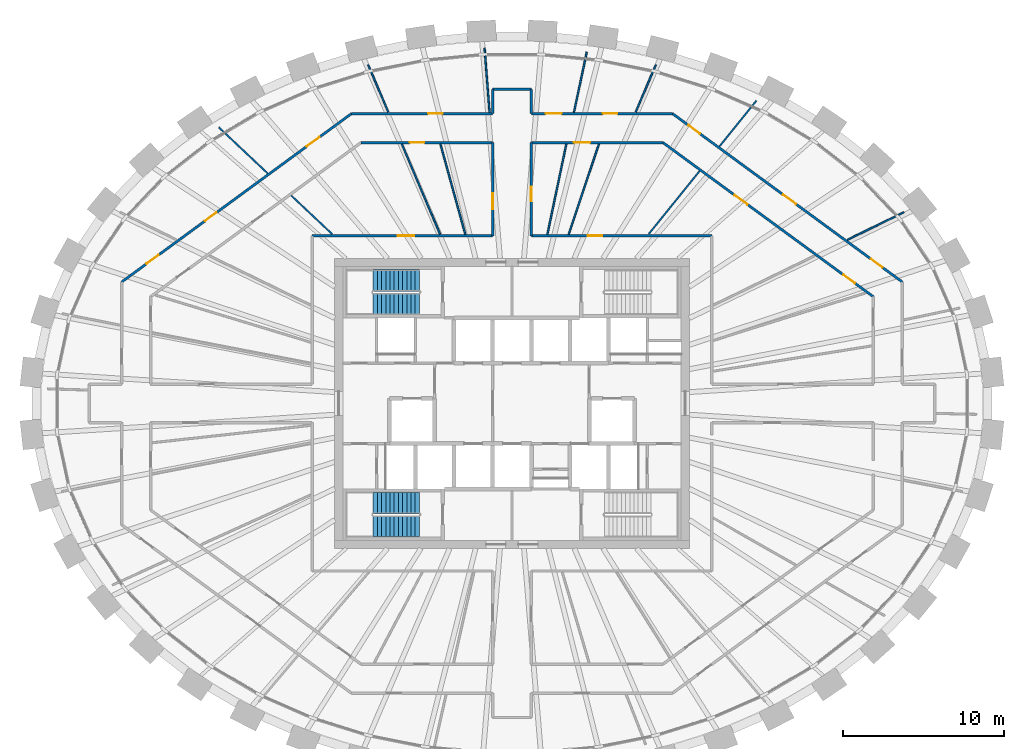
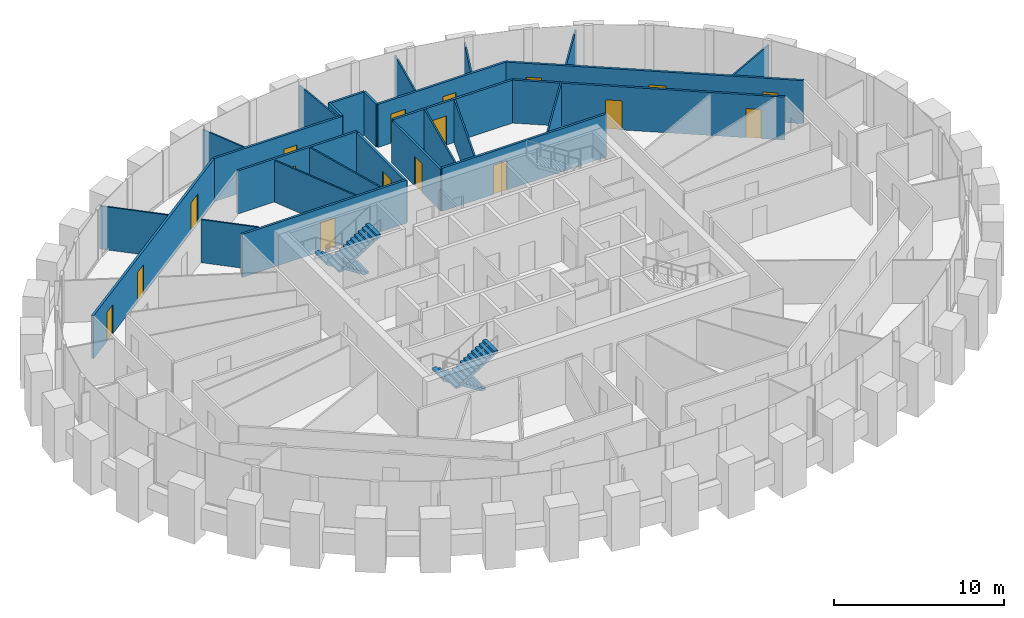
# One storey, part 10 of 12: 27 walls, 17 doors, 4 stair flights, 17 openings, 2 elements without a shape of their own.
"""IFC4 building model written with IfcOpenShell, lengths in metres."""

from ifc_helpers import new_model, si_unit, direction, frame, frame_2d, origin, place, context, subcontext, project, spatial, polyline, rectangle, outline, extrude, source, transform, mapped, material, layer, layer_set, type_object, element, fill, aggregate, save


model = new_model("IFC4")

# Units and contexts
model_context = context("Model", 3, precision=1e-05, world=origin(), true_north=direction((0.0, 1.0)))
body_context = subcontext(model_context, "Body", "Model", "MODEL_VIEW")
ifc_project = project(units=[si_unit("LENGTHUNIT", "METRE"), si_unit("AREAUNIT", "SQUARE_METRE"), si_unit("VOLUMEUNIT", "CUBIC_METRE"), si_unit("PLANEANGLEUNIT", "RADIAN"), si_unit("MASSUNIT", "GRAM", prefix="KILO")], contexts=[model_context])

# Site, building, storey
site_placement = place(None, origin())
site = spatial("IfcSite", under=ifc_project, at=site_placement, CompositionType="ELEMENT")
building_placement = place(site_placement, origin())
building = spatial("IfcBuilding", under=site, at=building_placement, Name="Embergate Tower", CompositionType="ELEMENT")
storey_placement = place(building_placement, frame((0.0, 0.0, 320.800048828125)))
storey = spatial("IfcBuildingStorey", under=building, at=storey_placement, Name="L75", CompositionType="ELEMENT", Elevation=320.800048828125)

# Wall
ifc_material_1 = material(Name="Corridor wall dry-lined 150")
ifc_layer_1 = layer(ifc_material_1, 0.14990234375)
ifc_layer_set_1 = layer_set([ifc_layer_1], Name="Corridor wall dry-lined 150")
wall_type_1 = type_object("IfcWallType", Name="Corridor wall dry-lined 150", PredefinedType="PARTITIONING", material=ifc_layer_set_1)
shared_shape_1 = source(origin(), body_context, "Body", "SweptSolid", [
    extrude(rectangle(XDim=2.39990234375, YDim=0.14990234375, at=frame_2d((1.199951171875, 0.0))), origin(), (0.0, 0.0, 1.0), 3.099853515625),
])
wall_1_placement = place(storey_placement, frame((-1.199951171875, 19.490966796875, 0.0), z_axis=(0.0, 0.0, 1.0), x_axis=(1.0, 0.0, 0.0)))
element("IfcWall", 1, at=wall_1_placement, inside=storey, type_object=wall_type_1, Name="IP-2 wall", PredefinedType="PARTITIONING", context=body_context, shape_type="MappedRepresentation", body=[
    mapped(shared_shape_1, transform((0.0, 0.0, 0.0))),
])

# Wall, opening, door
shared_shape_2 = source(origin(), body_context, "Body", "SweptSolid", [
    extrude(rectangle(XDim=11.199951171875, YDim=0.14990234375, at=frame_2d((5.60009765625, 0.0))), origin(), (0.0, 0.0, 1.0), 3.099853515625),
])
wall_2_placement = place(storey_placement, frame((12.39990234375, 10.39990234375, 0.0), z_axis=(0.0, 0.0, 1.0), x_axis=(-1.0, 0.0, 0.0)))
wall_2 = element("IfcWall", 2, at=wall_2_placement, inside=storey, type_object=wall_type_1, Name="IP-2 wall", PredefinedType="PARTITIONING", context=body_context, shape_type="MappedRepresentation", body=[
    mapped(shared_shape_2, transform((0.0, 0.0, 0.0))),
])
shared_shape_3 = source(origin(), body_context, "Body", "SweptSolid", [
    extrude(rectangle(XDim=0.89990234375, YDim=2.10009765625, at=frame_2d((0.449951171875, 1.050048828125))), frame((0.0, 0.0849609375, 0.0), z_axis=(0.0, -1.0, 0.0), x_axis=(1.0, 0.0, 0.0)), (0.0, 0.0, 1.0), 0.169921875),
])
opening_1_placement = place(wall_2_placement, frame((6.794921875, 0.0, 0.0)))
opening_1 = element("IfcOpeningElement", 3, at=opening_1_placement, cuts=wall_2, Name="Opening IF-1c", PredefinedType="OPENING", context=body_context, shape_type="MappedRepresentation", body=[
    mapped(shared_shape_3, transform((0.0, 0.0, 0.0))),
])
ifc_material_2 = material(Name="Escape fire door 900")
door_type_1 = type_object("IfcDoorType", Name="Escape fire door 900", OperationType="SINGLE_SWING_LEFT", PredefinedType="DOOR", material=ifc_material_2)
shared_shape_4 = source(origin(), body_context, "Body", "SweptSolid", [
    extrude(rectangle(XDim=0.89990234375, YDim=2.10009765625, at=frame_2d((0.449951171875, 1.050048828125))), frame((0.0, 0.02490234375, 0.0), z_axis=(0.0, -1.0, 0.0), x_axis=(1.0, 0.0, 0.0)), (0.0, 0.0, 1.0), 0.050048828125),
])
door_1_placement = place(opening_1_placement, origin())
door_1 = element("IfcDoor", 4, at=door_1_placement, inside=storey, type_object=door_type_1, Name="IF-1 door", OperationType="SINGLE_SWING_LEFT", OverallHeight=2.10009765625, OverallWidth=0.89990234375, PredefinedType="DOOR", context=body_context, shape_type="MappedRepresentation", body=[
    mapped(shared_shape_4, transform((0.0, 0.0, 0.0))),
])
fill(opening_1, door_1)

wall_3_placement = place(storey_placement, frame((-12.39990234375, 10.39990234375, 0.0), z_axis=(0.0, 0.0, 1.0), x_axis=(1.0, 0.0, 0.0)))
wall_3 = element("IfcWall", 5, at=wall_3_placement, inside=storey, type_object=wall_type_1, Name="IP-2 wall", PredefinedType="PARTITIONING", context=body_context, shape_type="MappedRepresentation", body=[
    mapped(shared_shape_2, transform((0.0, 0.0, 0.0))),
])
shared_shape_5 = source(origin(), body_context, "Body", "SweptSolid", [
    extrude(rectangle(XDim=1.0, YDim=2.10009765625, at=frame_2d((0.5, 1.050048828125))), frame((0.0, 0.0849609375, 0.0), z_axis=(0.0, -1.0, 0.0), x_axis=(1.0, 0.0, 0.0)), (0.0, 0.0, 1.0), 0.169921875),
])
opening_2_placement = place(wall_3_placement, frame((5.323974609375, 0.0, 0.0)))
opening_2 = element("IfcOpeningElement", 6, at=opening_2_placement, cuts=wall_3, Name="Opening ID-2", PredefinedType="OPENING", context=body_context, shape_type="MappedRepresentation", body=[
    mapped(shared_shape_5, transform((0.0, 0.0, 0.0))),
])
ifc_material_3 = material(Name="Interior door 1000")
door_type_2 = type_object("IfcDoorType", Name="Interior door 1000", OperationType="SINGLE_SWING_LEFT", PredefinedType="DOOR", material=ifc_material_3)
shared_shape_6 = source(origin(), body_context, "Body", "SweptSolid", [
    extrude(rectangle(XDim=1.0, YDim=2.10009765625, at=frame_2d((0.5, 1.050048828125))), frame((0.0, 0.02490234375, 0.0), z_axis=(0.0, -1.0, 0.0), x_axis=(1.0, 0.0, 0.0)), (0.0, 0.0, 1.0), 0.050048828125),
])
door_2_placement = place(opening_2_placement, origin())
door_2 = element("IfcDoor", 7, at=door_2_placement, inside=storey, type_object=door_type_2, Name="ID-2 door", OperationType="SINGLE_SWING_RIGHT", OverallHeight=2.10009765625, OverallWidth=1.0, PredefinedType="DOOR", context=body_context, shape_type="MappedRepresentation", body=[
    mapped(shared_shape_6, transform((0.0, 0.0, 0.0))),
])
fill(opening_2, door_2)

shared_shape_7 = source(origin(), body_context, "Body", "SweptSolid", [
    extrude(rectangle(XDim=5.783203125, YDim=0.14990234375, at=frame_2d((2.8916015625, 0.0))), origin(), (0.0, 0.0, 1.0), 3.0),
])
wall_4_placement = place(storey_placement, frame((-1.199951171875, 10.39990234375, 0.0), z_axis=(0.0, 0.0, 1.0), x_axis=(0.0, 1.0, 0.0)))
wall_4 = element("IfcWall", 8, at=wall_4_placement, inside=storey, type_object=wall_type_1, Name="IP-2 wall", PredefinedType="PARTITIONING", context=body_context, shape_type="MappedRepresentation", body=[
    mapped(shared_shape_7, transform((0.0, 0.0, 0.0))),
])
opening_3_placement = place(wall_4_placement, frame((1.638916015625, 0.0, 0.0)))
opening_3 = element("IfcOpeningElement", 9, at=opening_3_placement, cuts=wall_4, Name="Opening ID-2", PredefinedType="OPENING", context=body_context, shape_type="MappedRepresentation", body=[
    mapped(shared_shape_5, transform((0.0, 0.0, 0.0))),
])
door_3_placement = place(opening_3_placement, origin())
door_3 = element("IfcDoor", 10, at=door_3_placement, inside=storey, type_object=door_type_2, Name="ID-2 door", OperationType="SINGLE_SWING_LEFT", OverallHeight=2.10009765625, OverallWidth=1.0, PredefinedType="DOOR", context=body_context, shape_type="MappedRepresentation", body=[
    mapped(shared_shape_6, transform((0.0, 0.0, 0.0))),
])
fill(opening_3, door_3)

wall_5_placement = place(storey_placement, frame((1.199951171875, 16.18310546875, 0.0), z_axis=(0.0, 0.0, 1.0), x_axis=(0.0, -1.0, 0.0)))
wall_5 = element("IfcWall", 11, at=wall_5_placement, inside=storey, type_object=wall_type_1, Name="IP-2 wall", PredefinedType="PARTITIONING", context=body_context, shape_type="MappedRepresentation", body=[
    mapped(shared_shape_7, transform((0.0, 0.0, 0.0))),
])
opening_4_placement = place(wall_5_placement, frame((2.741455078125, 0.0, 0.0)))
opening_4 = element("IfcOpeningElement", 12, at=opening_4_placement, cuts=wall_5, Name="Opening IF-1c", PredefinedType="OPENING", context=body_context, shape_type="MappedRepresentation", body=[
    mapped(shared_shape_3, transform((0.0, 0.0, 0.0))),
])
door_4_placement = place(opening_4_placement, origin())
door_4 = element("IfcDoor", 13, at=door_4_placement, inside=storey, type_object=door_type_1, Name="IF-1 door", OperationType="SINGLE_SWING_RIGHT", OverallHeight=2.10009765625, OverallWidth=0.89990234375, PredefinedType="DOOR", context=body_context, shape_type="MappedRepresentation", body=[
    mapped(shared_shape_4, transform((0.0, 0.0, 0.0))),
])
fill(opening_4, door_4)

# Walls
ifc_material_4 = material(Name="Partition dry-lined 100")
ifc_layer_2 = layer(ifc_material_4, 0.10009765625)
ifc_layer_set_2 = layer_set([ifc_layer_2], Name="Partition dry-lined 100")
wall_type_2 = type_object("IfcWallType", Name="Partition dry-lined 100", PredefinedType="PARTITIONING", material=ifc_layer_set_2)
shared_shape_8 = source(origin(), body_context, "Body", "SweptSolid", [
    extrude(rectangle(XDim=3.177978515625, YDim=0.10009765625, at=frame_2d((1.5888671875, 0.0))), origin(), (0.0, 0.0, 1.0), 3.0),
])
for number, where, z_axis, x_axis, name in (
    (14, (7.679931640625, 18.077880859375, 0.0), (0.0, 0.0, 1.0), (0.390885220026, 0.920439430253, 0.0), "IP-1 wall"),
    (15, (-8.922119140625, 21.0029296875, 0.0), (0.0, 0.0, 1.0), (0.390885220026, -0.920439430253, 0.0), "IP-1 wall"),
):
    element("IfcWall", number, at=place(storey_placement, frame(where, z_axis=z_axis, x_axis=x_axis)), inside=storey, type_object=wall_type_2, Name=name, PredefinedType="PARTITIONING", context=body_context, shape_type="MappedRepresentation", body=[
        mapped(shared_shape_8, transform((0.0, 0.0, 0.0))),
    ])
shared_shape_9 = source(origin(), body_context, "Body", "SweptSolid", [
    extrude(rectangle(XDim=4.00390625, YDim=0.10009765625, at=frame_2d((2.001953125, 0.0))), origin(), (0.0, 0.0, 1.0), 3.0),
])
wall_6_placement = place(storey_placement, frame((-1.39404296875, 18.05810546875, 0.0), z_axis=(0.0, 0.0, 1.0), x_axis=(-0.076892342061, 0.997039401294, 0.0)))
element("IfcWall", 16, at=wall_6_placement, inside=storey, type_object=wall_type_2, Name="IP-1 wall", PredefinedType="PARTITIONING", context=body_context, shape_type="MappedRepresentation", body=[
    mapped(shared_shape_9, transform((0.0, 0.0, 0.0))),
])
shared_shape_10 = source(origin(), body_context, "Body", "SweptSolid", [
    extrude(rectangle(XDim=6.078125, YDim=0.10009765625, at=frame_2d((3.0390625, 0.0))), origin(), (0.0, 0.0, 1.0), 3.0),
])
wall_7_placement = place(storey_placement, frame((-6.8349609375, 16.089111328125, 0.0), z_axis=(0.0, 0.0, 1.0), x_axis=(0.391071744055, -0.920360196337, 0.0)))
element("IfcWall", 17, at=wall_7_placement, inside=storey, type_object=wall_type_2, Name="IP-1 wall", PredefinedType="PARTITIONING", context=body_context, shape_type="MappedRepresentation", body=[
    mapped(shared_shape_10, transform((0.0, 0.0, 0.0))),
])

# Wall, openings, doors
shared_shape_11 = source(origin(), body_context, "Body", "SweptSolid", [
    extrude(rectangle(XDim=17.682373046875, YDim=0.14990234375, at=frame_2d((8.84130859375, 0.0))), origin(), (0.0, 0.0, 1.0), 3.099853515625),
])
wall_8_placement = place(storey_placement, frame((9.952880859375, 17.98291015625, 0.0), z_axis=(0.0, 0.0, 1.0), x_axis=(0.806686271558, -0.590979914447, 0.0)))
wall_8 = element("IfcWall", 18, at=wall_8_placement, inside=storey, type_object=wall_type_1, Name="IP-2 wall", PredefinedType="PARTITIONING", context=body_context, shape_type="MappedRepresentation", body=[
    mapped(shared_shape_11, transform((0.0, 0.0, 0.0))),
])
opening_5_placement = place(wall_8_placement, frame((15.259521484375, 0.0, 0.0)))
opening_5 = element("IfcOpeningElement", 19, at=opening_5_placement, cuts=wall_8, Name="Opening IF-1c", PredefinedType="OPENING", context=body_context, shape_type="MappedRepresentation", body=[
    mapped(shared_shape_3, transform((0.0, 0.0, 0.0))),
])
opening_6_placement = place(wall_8_placement, frame((8.519287109375, 0.0, 0.0)))
opening_6 = element("IfcOpeningElement", 20, at=opening_6_placement, cuts=wall_8, Name="Opening ID-2", PredefinedType="OPENING", context=body_context, shape_type="MappedRepresentation", body=[
    mapped(shared_shape_5, transform((0.0, 0.0, 0.0))),
])
opening_7_placement = place(wall_8_placement, frame((1.2255859375, 0.0, 0.0)))
opening_7 = element("IfcOpeningElement", 21, at=opening_7_placement, cuts=wall_8, Name="Opening IF-1c", PredefinedType="OPENING", context=body_context, shape_type="MappedRepresentation", body=[
    mapped(shared_shape_3, transform((0.0, 0.0, 0.0))),
])
door_5_placement = place(opening_5_placement, origin())
door_5 = element("IfcDoor", 22, at=door_5_placement, inside=storey, type_object=door_type_1, Name="IF-1 door", OperationType="SINGLE_SWING_LEFT", OverallHeight=2.10009765625, OverallWidth=0.89990234375, PredefinedType="DOOR", context=body_context, shape_type="MappedRepresentation", body=[
    mapped(shared_shape_4, transform((0.0, 0.0, 0.0))),
])
fill(opening_5, door_5)
door_6_placement = place(opening_7_placement, origin())
door_6 = element("IfcDoor", 23, at=door_6_placement, inside=storey, type_object=door_type_1, Name="IF-1 door", OperationType="SINGLE_SWING_LEFT", OverallHeight=2.10009765625, OverallWidth=0.89990234375, PredefinedType="DOOR", context=body_context, shape_type="MappedRepresentation", body=[
    mapped(shared_shape_4, transform((0.0, 0.0, 0.0))),
])
fill(opening_7, door_6)
door_7_placement = place(opening_6_placement, origin())
door_7 = element("IfcDoor", 24, at=door_7_placement, inside=storey, type_object=door_type_2, Name="ID-2 door", OperationType="SINGLE_SWING_LEFT", OverallHeight=2.10009765625, OverallWidth=1.0, PredefinedType="DOOR", context=body_context, shape_type="MappedRepresentation", body=[
    mapped(shared_shape_6, transform((0.0, 0.0, 0.0))),
])
fill(opening_6, door_7)

wall_9_placement = place(storey_placement, frame((-9.952880859375, 17.98291015625, 0.0), z_axis=(0.0, 0.0, 1.0), x_axis=(-0.806686271558, -0.590979914447, 0.0)))
wall_9 = element("IfcWall", 25, at=wall_9_placement, inside=storey, type_object=wall_type_1, Name="IP-2 wall", PredefinedType="PARTITIONING", context=body_context, shape_type="MappedRepresentation", body=[
    mapped(shared_shape_11, transform((0.0, 0.0, 0.0))),
])
opening_8_placement = place(wall_9_placement, frame((2.451904296875, 0.0, 0.0)))
opening_8 = element("IfcOpeningElement", 26, at=opening_8_placement, cuts=wall_9, Name="Opening ID-2", PredefinedType="OPENING", context=body_context, shape_type="MappedRepresentation", body=[
    mapped(shared_shape_5, transform((0.0, 0.0, 0.0))),
])
opening_9_placement = place(wall_9_placement, frame((10.39013671875, 0.0, 0.0)))
opening_9 = element("IfcOpeningElement", 27, at=opening_9_placement, cuts=wall_9, Name="Opening IF-1c", PredefinedType="OPENING", context=body_context, shape_type="MappedRepresentation", body=[
    mapped(shared_shape_3, transform((0.0, 0.0, 0.0))),
])
opening_10_placement = place(wall_9_placement, frame((14.861083984375, 0.0, 0.0)))
opening_10 = element("IfcOpeningElement", 28, at=opening_10_placement, cuts=wall_9, Name="Opening IF-1c", PredefinedType="OPENING", context=body_context, shape_type="MappedRepresentation", body=[
    mapped(shared_shape_3, transform((0.0, 0.0, 0.0))),
])
door_8_placement = place(opening_9_placement, origin())
door_8 = element("IfcDoor", 29, at=door_8_placement, inside=storey, type_object=door_type_1, Name="IF-1 door", OperationType="SINGLE_SWING_RIGHT", OverallHeight=2.10009765625, OverallWidth=0.89990234375, PredefinedType="DOOR", context=body_context, shape_type="MappedRepresentation", body=[
    mapped(shared_shape_4, transform((0.0, 0.0, 0.0))),
])
fill(opening_9, door_8)
door_9_placement = place(opening_10_placement, origin())
door_9 = element("IfcDoor", 30, at=door_9_placement, inside=storey, type_object=door_type_1, Name="IF-1 door", OperationType="SINGLE_SWING_LEFT", OverallHeight=2.10009765625, OverallWidth=0.89990234375, PredefinedType="DOOR", context=body_context, shape_type="MappedRepresentation", body=[
    mapped(shared_shape_4, transform((0.0, 0.0, 0.0))),
])
fill(opening_10, door_9)
door_10_placement = place(opening_8_placement, origin())
door_10 = element("IfcDoor", 31, at=door_10_placement, inside=storey, type_object=door_type_2, Name="ID-2 door", OperationType="SINGLE_SWING_RIGHT", OverallHeight=2.10009765625, OverallWidth=1.0, PredefinedType="DOOR", context=body_context, shape_type="MappedRepresentation", body=[
    mapped(shared_shape_6, transform((0.0, 0.0, 0.0))),
])
fill(opening_8, door_10)

shared_shape_12 = source(origin(), body_context, "Body", "SweptSolid", [
    extrude(rectangle(XDim=16.18115234375, YDim=0.14990234375, at=frame_2d((8.090576171875, 0.0))), origin(), (0.0, 0.0, 1.0), 3.099853515625),
])
wall_10_placement = place(storey_placement, frame((9.364013671875, 16.18310546875, 0.0), z_axis=(0.0, 0.0, 1.0), x_axis=(0.80667592694, -0.590994034569, 0.0)))
wall_10 = element("IfcWall", 32, at=wall_10_placement, inside=storey, type_object=wall_type_1, Name="IP-2 wall", PredefinedType="PARTITIONING", context=body_context, shape_type="MappedRepresentation", body=[
    mapped(shared_shape_12, transform((0.0, 0.0, 0.0))),
])
opening_11_placement = place(wall_10_placement, frame((13.872314453125, 0.0, 0.0)))
opening_11 = element("IfcOpeningElement", 33, at=opening_11_placement, cuts=wall_10, Name="Opening IF-1c", PredefinedType="OPENING", context=body_context, shape_type="MappedRepresentation", body=[
    mapped(shared_shape_3, transform((0.0, 0.0, 0.0))),
])
opening_12_placement = place(wall_10_placement, frame((5.524169921875, 0.0, 0.0)))
opening_12 = element("IfcOpeningElement", 34, at=opening_12_placement, cuts=wall_10, Name="Opening ID-2", PredefinedType="OPENING", context=body_context, shape_type="MappedRepresentation", body=[
    mapped(shared_shape_5, transform((0.0, 0.0, 0.0))),
])
door_11_placement = place(opening_11_placement, origin())
door_11 = element("IfcDoor", 35, at=door_11_placement, inside=storey, type_object=door_type_1, Name="IF-1 door", OperationType="SINGLE_SWING_RIGHT", OverallHeight=2.10009765625, OverallWidth=0.89990234375, PredefinedType="DOOR", context=body_context, shape_type="MappedRepresentation", body=[
    mapped(shared_shape_4, transform((0.0, 0.0, 0.0))),
])
fill(opening_11, door_11)
door_12_placement = place(opening_12_placement, origin())
door_12 = element("IfcDoor", 36, at=door_12_placement, inside=storey, type_object=door_type_2, Name="ID-2 door", OperationType="SINGLE_SWING_LEFT", OverallHeight=2.10009765625, OverallWidth=1.0, PredefinedType="DOOR", context=body_context, shape_type="MappedRepresentation", body=[
    mapped(shared_shape_6, transform((0.0, 0.0, 0.0))),
])
fill(opening_12, door_12)

shared_shape_13 = source(origin(), body_context, "Body", "SweptSolid", [
    extrude(rectangle(XDim=8.7529296875, YDim=0.14990234375, at=frame_2d((4.37646484375, 0.0))), origin(), (0.0, 0.0, 1.0), 3.099853515625),
])
wall_11_placement = place(storey_placement, frame((1.199951171875, 17.98291015625, 0.0), z_axis=(0.0, 0.0, 1.0), x_axis=(1.0, 0.0, 0.0)))
wall_11 = element("IfcWall", 37, at=wall_11_placement, inside=storey, type_object=wall_type_1, Name="IP-2 wall", PredefinedType="PARTITIONING", context=body_context, shape_type="MappedRepresentation", body=[
    mapped(shared_shape_13, transform((0.0, 0.0, 0.0))),
])
opening_13_placement = place(wall_11_placement, frame((4.430908203125, 0.0, 0.0)))
opening_13 = element("IfcOpeningElement", 38, at=opening_13_placement, cuts=wall_11, Name="Opening IF-1c", PredefinedType="OPENING", context=body_context, shape_type="MappedRepresentation", body=[
    mapped(shared_shape_3, transform((0.0, 0.0, 0.0))),
])
opening_14_placement = place(wall_11_placement, frame((0.885986328125, 0.0, 0.0)))
opening_14 = element("IfcOpeningElement", 39, at=opening_14_placement, cuts=wall_11, Name="Opening ID-2", PredefinedType="OPENING", context=body_context, shape_type="MappedRepresentation", body=[
    mapped(shared_shape_5, transform((0.0, 0.0, 0.0))),
])
door_13_placement = place(opening_13_placement, origin())
door_13 = element("IfcDoor", 40, at=door_13_placement, inside=storey, type_object=door_type_1, Name="IF-1 door", OperationType="SINGLE_SWING_RIGHT", OverallHeight=2.10009765625, OverallWidth=0.89990234375, PredefinedType="DOOR", context=body_context, shape_type="MappedRepresentation", body=[
    mapped(shared_shape_4, transform((0.0, 0.0, 0.0))),
])
fill(opening_13, door_13)
door_14_placement = place(opening_14_placement, origin())
door_14 = element("IfcDoor", 41, at=door_14_placement, inside=storey, type_object=door_type_2, Name="ID-2 door", OperationType="SINGLE_SWING_RIGHT", OverallHeight=2.10009765625, OverallWidth=1.0, PredefinedType="DOOR", context=body_context, shape_type="MappedRepresentation", body=[
    mapped(shared_shape_6, transform((0.0, 0.0, 0.0))),
])
fill(opening_14, door_14)

# Wall, opening, door
wall_12_placement = place(storey_placement, frame((-9.952880859375, 17.98291015625, 0.0), z_axis=(0.0, 0.0, 1.0), x_axis=(1.0, 0.0, 0.0)))
wall_12 = element("IfcWall", 42, at=wall_12_placement, inside=storey, type_object=wall_type_1, Name="IP-2 wall", PredefinedType="PARTITIONING", context=body_context, shape_type="MappedRepresentation", body=[
    mapped(shared_shape_13, transform((0.0, 0.0, 0.0))),
])
opening_15_placement = place(wall_12_placement, frame((4.751708984375, 0.0, 0.0)))
opening_15 = element("IfcOpeningElement", 43, at=opening_15_placement, cuts=wall_12, Name="Opening IF-1c", PredefinedType="OPENING", context=body_context, shape_type="MappedRepresentation", body=[
    mapped(shared_shape_3, transform((0.0, 0.0, 0.0))),
])
door_15_placement = place(opening_15_placement, origin())
door_15 = element("IfcDoor", 44, at=door_15_placement, inside=storey, type_object=door_type_1, Name="IF-1 door", OperationType="SINGLE_SWING_LEFT", OverallHeight=2.10009765625, OverallWidth=0.89990234375, PredefinedType="DOOR", context=body_context, shape_type="MappedRepresentation", body=[
    mapped(shared_shape_4, transform((0.0, 0.0, 0.0))),
])
fill(opening_15, door_15)

# Walls
shared_shape_14 = source(origin(), body_context, "Body", "SweptSolid", [
    extrude(rectangle(XDim=1.508056640625, YDim=0.14990234375, at=frame_2d((0.75390625, 0.0))), origin(), (0.0, 0.0, 1.0), 3.099853515625),
])
for number, where, z_axis, x_axis, name in (
    (45, (-1.199951171875, 17.98291015625, 0.0), (0.0, 0.0, 1.0), (0.0, 1.0, 0.0), "IP-2 wall"),
    (46, (1.199951171875, 19.490966796875, 0.0), (0.0, 0.0, 1.0), (0.0, -1.0, 0.0), "IP-2 wall"),
):
    element("IfcWall", number, at=place(storey_placement, frame(where, z_axis=z_axis, x_axis=x_axis)), inside=storey, type_object=wall_type_1, Name=name, PredefinedType="PARTITIONING", context=body_context, shape_type="MappedRepresentation", body=[
        mapped(shared_shape_14, transform((0.0, 0.0, 0.0))),
    ])

# Wall, opening, door
shared_shape_15 = source(origin(), body_context, "Body", "SweptSolid", [
    extrude(rectangle(XDim=8.1640625, YDim=0.14990234375, at=frame_2d((4.08203125, 0.0))), origin(), (0.0, 0.0, 1.0), 3.099853515625),
])
wall_13_placement = place(storey_placement, frame((1.199951171875, 16.18310546875, 0.0), z_axis=(0.0, 0.0, 1.0), x_axis=(1.0, 0.0, 0.0)))
wall_13 = element("IfcWall", 47, at=wall_13_placement, inside=storey, type_object=wall_type_1, Name="IP-2 wall", PredefinedType="PARTITIONING", context=body_context, shape_type="MappedRepresentation", body=[
    mapped(shared_shape_15, transform((0.0, 0.0, 0.0))),
])
opening_16_placement = place(wall_13_placement, frame((2.64208984375, 0.0, 0.0)))
opening_16 = element("IfcOpeningElement", 48, at=opening_16_placement, cuts=wall_13, Name="Opening ID-2", PredefinedType="OPENING", context=body_context, shape_type="MappedRepresentation", body=[
    mapped(shared_shape_5, transform((0.0, 0.0, 0.0))),
])
door_16_placement = place(opening_16_placement, origin())
door_16 = element("IfcDoor", 49, at=door_16_placement, inside=storey, type_object=door_type_2, Name="ID-2 door", OperationType="SINGLE_SWING_LEFT", OverallHeight=2.10009765625, OverallWidth=1.0, PredefinedType="DOOR", context=body_context, shape_type="MappedRepresentation", body=[
    mapped(shared_shape_6, transform((0.0, 0.0, 0.0))),
])
fill(opening_16, door_16)

wall_14_placement = place(storey_placement, frame((-1.199951171875, 16.18310546875, 0.0), z_axis=(0.0, 0.0, 1.0), x_axis=(-1.0, 0.0, 0.0)))
wall_14 = element("IfcWall", 50, at=wall_14_placement, inside=storey, type_object=wall_type_1, Name="IP-2 wall", PredefinedType="PARTITIONING", context=body_context, shape_type="MappedRepresentation", body=[
    mapped(shared_shape_15, transform((0.0, 0.0, 0.0))),
])
opening_17_placement = place(wall_14_placement, frame((4.22998046875, 0.0, 0.0)))
opening_17 = element("IfcOpeningElement", 51, at=opening_17_placement, cuts=wall_14, Name="Opening IF-1c", PredefinedType="OPENING", context=body_context, shape_type="MappedRepresentation", body=[
    mapped(shared_shape_3, transform((0.0, 0.0, 0.0))),
])
door_17_placement = place(opening_17_placement, origin())
door_17 = element("IfcDoor", 52, at=door_17_placement, inside=storey, type_object=door_type_1, Name="IF-1 door", OperationType="SINGLE_SWING_LEFT", OverallHeight=2.10009765625, OverallWidth=0.89990234375, PredefinedType="DOOR", context=body_context, shape_type="MappedRepresentation", body=[
    mapped(shared_shape_4, transform((0.0, 0.0, 0.0))),
])
fill(opening_17, door_17)

# Walls
shared_shape_16 = source(origin(), body_context, "Body", "SweptSolid", [
    extrude(rectangle(XDim=3.90185546875, YDim=0.10009765625, at=frame_2d((1.950927734375, 0.0))), origin(), (0.0, 0.0, 1.0), 3.0),
])
wall_15_placement = place(storey_placement, frame((20.81103515625, 10.14990234375, 0.0), z_axis=(0.0, 0.0, 1.0), x_axis=(0.898825566315, 0.438306515283, 0.0)))
element("IfcWall", 53, at=wall_15_placement, inside=storey, type_object=wall_type_2, Name="IP-1 wall", PredefinedType="PARTITIONING", context=body_context, shape_type="MappedRepresentation", body=[
    mapped(shared_shape_16, transform((0.0, 0.0, 0.0))),
])
shared_shape_17 = source(origin(), body_context, "Body", "SweptSolid", [
    extrude(rectangle(XDim=3.65380859375, YDim=0.10009765625, at=frame_2d((1.826904296875, 0.0))), origin(), (0.0, 0.0, 1.0), 3.099853515625),
])
wall_16_placement = place(storey_placement, frame((12.868896484375, 15.93994140625, 0.0), z_axis=(0.0, 0.0, 1.0), x_axis=(0.62815201001, 0.778090645311, 0.0)))
element("IfcWall", 54, at=wall_16_placement, inside=storey, type_object=wall_type_2, Name="IP-1 wall", PredefinedType="PARTITIONING", context=body_context, shape_type="MappedRepresentation", body=[
    mapped(shared_shape_17, transform((0.0, 0.0, 0.0))),
])
shared_shape_18 = source(origin(), body_context, "Body", "SweptSolid", [
    extrude(rectangle(XDim=5.03173828125, YDim=0.10009765625, at=frame_2d((2.515869140625, 0.0))), origin(), (0.0, 0.0, 1.0), 3.099853515625),
])
wall_17_placement = place(storey_placement, frame((8.48193359375, 10.506103515625, 0.0), z_axis=(0.0, 0.0, 1.0), x_axis=(0.628238845523, 0.77802053506, 0.0)))
element("IfcWall", 55, at=wall_17_placement, inside=storey, type_object=wall_type_2, Name="IP-1 wall", PredefinedType="PARTITIONING", context=body_context, shape_type="MappedRepresentation", body=[
    mapped(shared_shape_18, transform((0.0, 0.0, 0.0))),
])
shared_shape_19 = source(origin(), body_context, "Body", "SweptSolid", [
    extrude(rectangle(XDim=5.908447265625, YDim=0.10009765625, at=frame_2d((2.9541015625, 0.0))), origin(), (0.0, 0.0, 1.0), 3.099853515625),
])
wall_18_placement = place(storey_placement, frame((3.51611328125, 10.490966796875, 0.0), z_axis=(0.0, 0.0, 1.0), x_axis=(0.317838817041, 0.948144760246, 0.0)))
element("IfcWall", 56, at=wall_18_placement, inside=storey, type_object=wall_type_2, Name="IP-1 wall", PredefinedType="PARTITIONING", context=body_context, shape_type="MappedRepresentation", body=[
    mapped(shared_shape_19, transform((0.0, 0.0, 0.0))),
])
shared_shape_20 = source(origin(), body_context, "Body", "SweptSolid", [
    extrude(rectangle(XDim=3.8134765625, YDim=0.10009765625, at=frame_2d((1.90673828125, 0.0))), origin(), (0.0, 0.0, 1.0), 3.099853515625),
])
wall_19_placement = place(storey_placement, frame((3.845947265625, 18.069091796875, 0.0), z_axis=(0.0, 0.0, 1.0), x_axis=(0.208191043584, 0.978088180775, 0.0)))
element("IfcWall", 57, at=wall_19_placement, inside=storey, type_object=wall_type_2, Name="IP-1 wall", PredefinedType="PARTITIONING", context=body_context, shape_type="MappedRepresentation", body=[
    mapped(shared_shape_20, transform((0.0, 0.0, 0.0))),
])
shared_shape_21 = source(origin(), body_context, "Body", "SweptSolid", [
    extrude(rectangle(XDim=5.81640625, YDim=0.10009765625, at=frame_2d((2.908203125, 0.0))), origin(), (0.0, 0.0, 1.0), 3.099853515625),
])
wall_20_placement = place(storey_placement, frame((-2.89501953125, 10.488037109375, 0.0), z_axis=(0.0, 0.0, 1.0), x_axis=(-0.265950518694, 0.963986681239, 0.0)))
element("IfcWall", 58, at=wall_20_placement, inside=storey, type_object=wall_type_2, Name="IP-1 wall", PredefinedType="PARTITIONING", context=body_context, shape_type="MappedRepresentation", body=[
    mapped(shared_shape_21, transform((0.0, 0.0, 0.0))),
])
shared_shape_22 = source(origin(), body_context, "Body", "SweptSolid", [
    extrude(rectangle(XDim=5.734375, YDim=0.10009765625, at=frame_2d((2.8671875, 0.0))), origin(), (0.0, 0.0, 1.0), 3.099853515625),
])
wall_21_placement = place(storey_placement, frame((2.196044921875, 10.485107421875, 0.0), z_axis=(0.0, 0.0, 1.0), x_axis=(0.204909632567, 0.978780896055, 0.0)))
element("IfcWall", 59, at=wall_21_placement, inside=storey, type_object=wall_type_2, Name="IP-1 wall", PredefinedType="PARTITIONING", context=body_context, shape_type="MappedRepresentation", body=[
    mapped(shared_shape_22, transform((0.0, 0.0, 0.0))),
])
shared_shape_23 = source(origin(), body_context, "Body", "SweptSolid", [
    extrude(rectangle(XDim=4.171142578125, YDim=0.10009765625, at=frame_2d((2.08544921875, 0.0))), origin(), (0.0, 0.0, 1.0), 3.099853515625),
])
wall_22_placement = place(storey_placement, frame((-15.159912109375, 14.27197265625, 0.0), z_axis=(0.0, 0.0, 1.0), x_axis=(-0.728119226308, 0.685450503159, 0.0)))
element("IfcWall", 60, at=wall_22_placement, inside=storey, type_object=wall_type_2, Name="IP-1 wall", PredefinedType="PARTITIONING", context=body_context, shape_type="MappedRepresentation", body=[
    mapped(shared_shape_23, transform((0.0, 0.0, 0.0))),
])
shared_shape_24 = source(origin(), body_context, "Body", "SweptSolid", [
    extrude(rectangle(XDim=3.4853515625, YDim=0.10009765625, at=frame_2d((1.74267578125, 0.0))), origin(), (0.0, 0.0, 1.0), 3.099853515625),
])
wall_23_placement = place(storey_placement, frame((-11.1650390625, 10.510986328125, 0.0), z_axis=(0.0, 0.0, 1.0), x_axis=(-0.728148579295, 0.685419321635, 0.0)))
element("IfcWall", 61, at=wall_23_placement, inside=storey, type_object=wall_type_2, Name="IP-1 wall", PredefinedType="PARTITIONING", context=body_context, shape_type="MappedRepresentation", body=[
    mapped(shared_shape_24, transform((0.0, 0.0, 0.0))),
])

# Stair, stair flights
ifc_material_5 = material(Name="Exit stair")
stair_type = type_object("IfcStairType", Name="Exit stair", PredefinedType="HALF_TURN_STAIR", material=ifc_material_5)
stair_1_placement = place(storey_placement, origin())
stair_1 = element("IfcStair", 62, at=stair_1_placement, inside=storey, type_object=stair_type, Name="L75 Exit stair 1", PredefinedType="HALF_TURN_STAIR")
ifc_material_6 = material(Name="Concrete C40", Category="concrete")
stair_flight_type = type_object("IfcStairFlightType", Name="Stair flight reinforced concrete", PredefinedType="STRAIGHT", material=ifc_material_6)
shared_shape_25 = source(origin(), body_context, "Body", "SweptSolid", [
    extrude(outline(polyline([(0.0, 0.0), (0.0, 0.16259765625), (0.260009765625, 0.16259765625), (0.260009765625, 0.324951171875), (0.52001953125, 0.324951171875), (0.52001953125, 0.487548828125), (0.780029296875, 0.487548828125), (0.780029296875, 0.64990234375), (1.0400390625, 0.64990234375), (1.0400390625, 0.8125), (1.300048828125, 0.8125), (1.300048828125, 0.97509765625), (1.56005859375, 0.97509765625), (1.56005859375, 1.137451171875), (1.820068359375, 1.137451171875), (1.820068359375, 1.300048828125), (2.080078125, 1.300048828125), (2.080078125, 1.46240234375), (2.340087890625, 1.46240234375), (2.340087890625, 1.625), (2.60009765625, 1.625), (2.60009765625, 1.78759765625), (2.860107421875, 1.78759765625), (2.860107421875, 1.949951171875), (2.860107421875, 1.61083984375), (0.28271484375, 0.0), (0.0, 0.0)])), frame((0.0, 0.675048828125, 0.0), z_axis=(0.0, -1.0, 0.0), x_axis=(1.0, 0.0, 0.0)), (0.0, 0.0, 1.0), 1.35009765625),
])
stair_flight_1_placement = place(storey_placement, frame((-5.75, 7.625, 0.0), z_axis=(0.0, 0.0, 1.0), x_axis=(-1.0, 0.0, 0.0)))
stair_flight_1 = element("IfcStairFlight", 63, at=stair_flight_1_placement, type_object=stair_flight_type, Name="ST1 flight 1", NumberOfRisers=12, NumberOfTreads=11, PredefinedType="STRAIGHT", RiserHeight=0.1625, TreadLength=0.26, context=body_context, shape_type="MappedRepresentation", body=[
    mapped(shared_shape_25, transform((0.0, 0.0, 0.0))),
])
stair_flight_2_placement = place(storey_placement, frame((-8.610107421875, 6.175048828125, 1.949951171875), z_axis=(0.0, 0.0, 1.0), x_axis=(1.0, 0.0, 0.0)))
stair_flight_2 = element("IfcStairFlight", 64, at=stair_flight_2_placement, type_object=stair_flight_type, Name="ST1 flight 2", NumberOfRisers=12, NumberOfTreads=11, PredefinedType="STRAIGHT", RiserHeight=0.1625, TreadLength=0.26, context=body_context, shape_type="MappedRepresentation", body=[
    mapped(shared_shape_25, transform((0.0, 0.0, 0.0))),
])
aggregate(stair_1, [stair_flight_1, stair_flight_2])

stair_2_placement = place(storey_placement, origin())
stair_2 = element("IfcStair", 65, at=stair_2_placement, inside=storey, type_object=stair_type, Name="L75 Exit stair 3", PredefinedType="HALF_TURN_STAIR")
stair_flight_3_placement = place(storey_placement, frame((-5.75, -6.175048828125, 0.0), z_axis=(0.0, 0.0, 1.0), x_axis=(-1.0, 0.0, 0.0)))
stair_flight_3 = element("IfcStairFlight", 66, at=stair_flight_3_placement, type_object=stair_flight_type, Name="ST3 flight 1", NumberOfRisers=12, NumberOfTreads=11, PredefinedType="STRAIGHT", RiserHeight=0.1625, TreadLength=0.26, context=body_context, shape_type="MappedRepresentation", body=[
    mapped(shared_shape_25, transform((0.0, 0.0, 0.0))),
])
stair_flight_4_placement = place(storey_placement, frame((-8.610107421875, -7.625, 1.949951171875), z_axis=(0.0, 0.0, 1.0), x_axis=(1.0, 0.0, 0.0)))
stair_flight_4 = element("IfcStairFlight", 67, at=stair_flight_4_placement, type_object=stair_flight_type, Name="ST3 flight 2", NumberOfRisers=12, NumberOfTreads=11, PredefinedType="STRAIGHT", RiserHeight=0.1625, TreadLength=0.26, context=body_context, shape_type="MappedRepresentation", body=[
    mapped(shared_shape_25, transform((0.0, 0.0, 0.0))),
])
aggregate(stair_2, [stair_flight_3, stair_flight_4])

save(model, "model.ifc")
